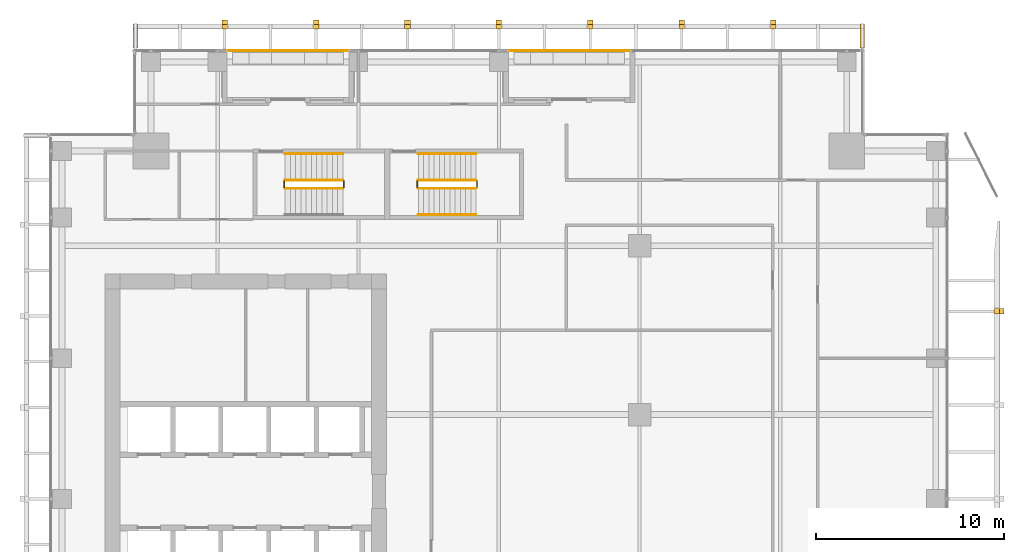
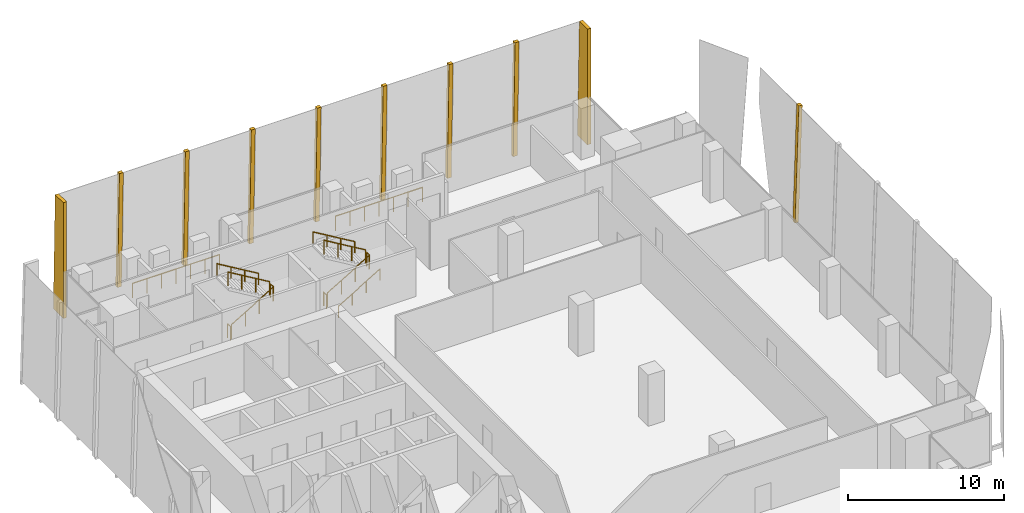
# One storey, part 34 of 35: 13 railings, 10 coverings.
"""IFC4 building model written with IfcOpenShell, lengths in metres."""

from ifc_helpers import new_model, si_unit, direction, frame, origin, origin_2d, place, context, subcontext, project, spatial, polyline, circle, outline, extrude, source, transform, mapped, material, layer, layer_set, type_object, element, save


model = new_model("IFC4")

# Units and contexts
model_context = context("Model", 3, precision=1e-05, world=origin(), true_north=direction((0.0, 1.0)))
body_context = subcontext(model_context, "Body", "Model", "MODEL_VIEW")
ifc_project = project(units=[si_unit("LENGTHUNIT", "METRE"), si_unit("AREAUNIT", "SQUARE_METRE"), si_unit("VOLUMEUNIT", "CUBIC_METRE"), si_unit("PLANEANGLEUNIT", "RADIAN"), si_unit("MASSUNIT", "GRAM", prefix="KILO")], contexts=[model_context])

# Site, building, storey
site_placement = place(None, origin())
site = spatial("IfcSite", under=ifc_project, at=site_placement, CompositionType="ELEMENT")
building_placement = place(site_placement, origin())
building = spatial("IfcBuilding", under=site, at=building_placement, Name="Khomas Fold Tower", CompositionType="ELEMENT")
storey_placement = place(building_placement, frame((0.0, 0.0, 212.699951171875)))
storey = spatial("IfcBuildingStorey", under=building, at=storey_placement, Name="L47", CompositionType="ELEMENT", Elevation=212.699951171875)

# Coverings
ifc_material_1 = material(Name="Natural stone cladding", Category="masonry")
ifc_layer = layer(ifc_material_1, 0.25)
ifc_layer_set = layer_set([ifc_layer], Name="Natural stone cladding")
covering_type = type_object("IfcCoveringType", Name="SK-Karibib marble stone mullion", PredefinedType="CLADDING", material=ifc_layer_set)
covering_1_placement = place(storey_placement, frame((53.402587890625, 36.85009765625, 0.0), z_axis=(-0.999510733566, 0.0, 0.031277683534), x_axis=(0.031277683534, 0.0, 0.999510733566)))
element("IfcCovering", 1, at=covering_1_placement, inside=storey, type_object=covering_type, Name="OUTER SKIN mullion L47 EM105-11", PredefinedType="CLADDING", context=body_context, shape_type="SweptSolid", body=[
    extrude(outline(polyline([(0.0, 0.0), (9.05447888072287, 0.0), (9.05447888072287, 0.2998046875), (0.0, 0.2998046875), (0.0, 0.0)])), origin(), (0.0, 0.0, -1.0), 0.25),
])
for number, where, z_axis, x_axis, name in (
    (2, (12.22509765625, 52.5380859375, 0.006591796875), (0.0, 0.999657103303, 0.026185412267), (1.0, 0.0, 0.0), "OUTER SKIN mullion L47 N2"),
    (3, (17.10009765625, 52.5380859375, 0.006591796875), (0.0, 0.999657103303, 0.026185412267), (1.0, 0.0, 0.0), "OUTER SKIN mullion L47 N4"),
    (4, (21.97509765625, 52.5380859375, 0.006591796875), (0.0, 0.999657103303, 0.026185412267), (1.0, 0.0, 0.0), "OUTER SKIN mullion L47 N6"),
    (5, (26.85009765625, 52.5380859375, 0.006591796875), (0.0, 0.999657103303, 0.026185412267), (1.0, 0.0, 0.0), "OUTER SKIN mullion L47 N8"),
    (6, (31.72509765625, 52.5380859375, 0.006591796875), (0.0, 0.999657103303, 0.026185412267), (1.0, 0.0, 0.0), "OUTER SKIN mullion L47 N10"),
    (7, (36.60009765625, 52.5380859375, 0.006591796875), (0.0, 0.999657103303, 0.026185412267), (1.0, 0.0, 0.0), "OUTER SKIN mullion L47 N12"),
    (8, (41.47509765625, 52.5380859375, 0.006591796875), (0.0, 0.999657103303, 0.026185412267), (1.0, 0.0, 0.0), "OUTER SKIN mullion L47 N14"),
):
    element("IfcCovering", number, at=place(storey_placement, frame(where, z_axis=z_axis, x_axis=x_axis)), inside=storey, type_object=covering_type, Name=name, PredefinedType="CLADDING", context=body_context, shape_type="SweptSolid", body=[
        extrude(outline(polyline([(0.0, 0.0), (0.2998046875, 0.0), (0.2998046875, -9.053153124427498), (0.0, -9.053153124427498), (0.0, 0.0)])), origin(), (0.0, 0.0, -1.0), 0.25),
    ])
covering_2_placement = place(storey_placement, frame((7.5, 51.050048828125, 9.050048828125), z_axis=(-1.0, 0.0, 0.0), x_axis=(0.0, 1.0, 0.0)))
element("IfcCovering", 9, at=covering_2_placement, inside=storey, type_object=covering_type, Name="OUTER SKIN return L47 N1", PredefinedType="CLADDING", context=body_context, shape_type="SweptSolid", body=[
    extrude(outline(polyline([(0.0, 0.0), (1.041015625, 0.0), (1.278076171875, 9.050048828125), (0.0, 9.050048828125), (0.0, 0.0)])), origin(), (0.0, 0.0, -1.0), 0.25),
])
covering_3_placement = place(storey_placement, frame((46.5, 51.050048828125, 0.0), z_axis=(1.0, 0.0, 0.0), x_axis=(0.0, 1.0, 0.0)))
element("IfcCovering", 10, at=covering_3_placement, inside=storey, type_object=covering_type, Name="OUTER SKIN return L47 N2", PredefinedType="CLADDING", context=body_context, shape_type="SweptSolid", body=[
    extrude(outline(polyline([(0.0, 0.0), (1.278076171875, 0.0), (1.041015625, 9.050048828125), (0.0, 9.050048828125), (0.0, 0.0)])), origin(), (0.0, 0.0, -1.0), 0.25),
])

# Railings
ifc_material_2 = material(Name="Powder-coated steel", Category="steel")
railing_type_1 = type_object("IfcRailingType", Name="Balcony guard", PredefinedType="GUARDRAIL", material=ifc_material_2)
shared_shape_1 = source(origin(), body_context, "Body", "SweptSolid", [
    extrude(circle(Radius=0.02490234375, at=origin_2d()), frame((0.0, 0.0, 1.125), z_axis=(1.0, 0.0, 0.0), x_axis=(0.0, 1.0, 0.0)), (0.0, 0.0, 1.0), 6.43994140625),
    extrude(circle(Radius=0.02001953125, at=origin_2d()), origin(), (0.0, 0.0, 1.0), 1.099853515625),
    extrude(circle(Radius=0.02001953125, at=origin_2d()), frame((1.0732421875, 0.0, 0.0)), (0.0, 0.0, 1.0), 1.099853515625),
    extrude(circle(Radius=0.02001953125, at=origin_2d()), frame((2.146728515625, 0.0, 0.0)), (0.0, 0.0, 1.0), 1.099853515625),
    extrude(circle(Radius=0.02001953125, at=origin_2d()), frame((3.219970703125, 0.0, 0.0)), (0.0, 0.0, 1.0), 1.099853515625),
    extrude(circle(Radius=0.02001953125, at=origin_2d()), frame((4.293212890625, 0.0, 0.0)), (0.0, 0.0, 1.0), 1.099853515625),
    extrude(circle(Radius=0.02001953125, at=origin_2d()), frame((5.36669921875, 0.0, 0.0)), (0.0, 0.0, 1.0), 1.099853515625),
    extrude(circle(Radius=0.02001953125, at=origin_2d()), frame((6.43994140625, 0.0, 0.0)), (0.0, 0.0, 1.0), 1.099853515625),
])
for number, where, name in (
    (11, (12.530029296875, 50.89990234375, -0.044921875), "Balcony guard BAL-L47-N1"),
    (12, (27.530029296875, 50.89990234375, -0.044921875), "Balcony guard BAL-L47-N3"),
):
    element("IfcRailing", number, at=place(storey_placement, frame(where)), inside=storey, type_object=railing_type_1, Name=name, PredefinedType="GUARDRAIL", context=body_context, shape_type="MappedRepresentation", body=[
        mapped(shared_shape_1, transform((0.0, 0.0, 0.0))),
    ])
ifc_material_3 = material(Name="Steel balustrade", Category="steel")
railing_type_2 = type_object("IfcRailingType", Name="Stair guard", PredefinedType="GUARDRAIL", material=ifc_material_3)
shared_shape_2 = source(origin(), body_context, "Body", "SweptSolid", [
    extrude(circle(Radius=0.02392578125, at=origin_2d()), frame((0.0, 0.0, 1.076171875), z_axis=(0.0, 1.0, 0.0), x_axis=(-1.0, 0.0, 0.0)), (0.0, 0.0, 1.0), 0.349853515625),
    extrude(circle(Radius=0.02099609375, at=origin_2d()), origin(), (0.0, 0.0, 1.0), 1.052001953125),
    extrude(circle(Radius=0.02099609375, at=origin_2d()), frame((0.0, 0.349853515625, 0.0)), (0.0, 0.0, 1.0), 1.052001953125),
])
for number, where, name in (
    (13, (18.72998046875, 43.60009765625, 2.0), "L47 ST1 stair guard 2"),
    (14, (15.550048828125, 43.60009765625, 0.0), "L47 ST1 stair guard 4"),
    (15, (25.830078125, 43.60009765625, 2.0), "L47 ST3 stair guard 2"),
    (16, (22.64990234375, 43.60009765625, 0.0), "L47 ST3 stair guard 4"),
):
    element("IfcRailing", number, at=place(storey_placement, frame(where)), inside=storey, type_object=railing_type_2, Name=name, PredefinedType="GUARDRAIL", context=body_context, shape_type="MappedRepresentation", body=[
        mapped(shared_shape_2, transform((0.0, 0.0, 0.0))),
    ])
shared_shape_3 = source(origin(), body_context, "Body", "SweptSolid", [
    extrude(circle(Radius=0.02392578125, at=origin_2d()), frame((0.0, 0.0, 1.076171875), z_axis=(0.859290745958, 0.0, 0.51148745235), x_axis=(0.0, 1.0, 0.0)), (0.0, 0.0, 1.0), 3.584228515625),
    extrude(circle(Radius=0.02099609375, at=origin_2d()), origin(), (0.0, 0.0, 1.0), 1.052001953125),
    extrude(circle(Radius=0.02099609375, at=origin_2d()), frame((1.026611328125, 0.0, 0.611083984375)), (0.0, 0.0, 1.0), 1.052001953125),
    extrude(circle(Radius=0.02099609375, at=origin_2d()), frame((2.05322265625, 0.0, 1.22216796875)), (0.0, 0.0, 1.0), 1.052001953125),
    extrude(circle(Radius=0.02099609375, at=origin_2d()), frame((3.079833984375, 0.0, 1.833251953125)), (0.0, 0.0, 1.0), 1.052001953125),
])
railing_1_placement = place(storey_placement, frame((15.60009765625, 43.550048828125, 0.166748046875)))
element("IfcRailing", 17, at=railing_1_placement, inside=storey, type_object=railing_type_2, Name="L47 ST1 stair guard 1", PredefinedType="GUARDRAIL", context=body_context, shape_type="MappedRepresentation", body=[
    mapped(shared_shape_3, transform((0.0, 0.0, 0.0))),
])
shared_shape_4 = source(origin(), body_context, "Body", "SweptSolid", [
    extrude(circle(Radius=0.02392578125, at=origin_2d()), frame((0.0, 0.0, 1.076171875), z_axis=(-0.859290745958, 0.0, 0.51148745235), x_axis=(0.0, -1.0, 0.0)), (0.0, 0.0, 1.0), 3.584228515625),
    extrude(circle(Radius=0.02099609375, at=origin_2d()), origin(), (0.0, 0.0, 1.0), 1.052001953125),
    extrude(circle(Radius=0.02099609375, at=origin_2d()), frame((-1.026611328125, 0.0, 0.611083984375)), (0.0, 0.0, 1.0), 1.052001953125),
    extrude(circle(Radius=0.02099609375, at=origin_2d()), frame((-2.05322265625, 0.0, 1.22216796875)), (0.0, 0.0, 1.0), 1.052001953125),
    extrude(circle(Radius=0.02099609375, at=origin_2d()), frame((-3.079833984375, 0.0, 1.833251953125)), (0.0, 0.0, 1.0), 1.052001953125),
])
railing_2_placement = place(storey_placement, frame((18.679931640625, 44.0, 2.166748046875)))
element("IfcRailing", 18, at=railing_2_placement, inside=storey, type_object=railing_type_2, Name="L47 ST1 stair guard 3", PredefinedType="GUARDRAIL", context=body_context, shape_type="MappedRepresentation", body=[
    mapped(shared_shape_4, transform((0.0, 0.0, 0.0))),
])
ifc_material_4 = material(Name="Steel handrail", Category="steel")
railing_type_3 = type_object("IfcRailingType", Name="Stair handrail", PredefinedType="HANDRAIL", material=ifc_material_4)
shared_shape_5 = source(origin(), body_context, "Body", "SweptSolid", [
    extrude(circle(Radius=0.02392578125, at=origin_2d()), frame((0.0, 0.0, 0.8759765625), z_axis=(-0.859290745958, 0.0, 0.51148745235), x_axis=(0.0, -1.0, 0.0)), (0.0, 0.0, 1.0), 3.584228515625),
    extrude(circle(Radius=0.02099609375, at=origin_2d()), origin(), (0.0, 0.0, 1.0), 0.851806640625),
    extrude(circle(Radius=0.02099609375, at=origin_2d()), frame((-1.026611328125, 0.0, 0.611083984375)), (0.0, 0.0, 1.0), 0.851806640625),
    extrude(circle(Radius=0.02099609375, at=origin_2d()), frame((-2.05322265625, 0.0, 1.22216796875)), (0.0, 0.0, 1.0), 0.851806640625),
    extrude(circle(Radius=0.02099609375, at=origin_2d()), frame((-3.079833984375, 0.0, 1.833251953125)), (0.0, 0.0, 1.0), 0.851806640625),
])
railing_3_placement = place(storey_placement, frame((18.679931640625, 45.39990234375, 2.166748046875)))
element("IfcRailing", 19, at=railing_3_placement, inside=storey, type_object=railing_type_3, Name="L47 ST1 stair handrail 2", PredefinedType="HANDRAIL", context=body_context, shape_type="MappedRepresentation", body=[
    mapped(shared_shape_5, transform((0.0, 0.0, 0.0))),
])
shared_shape_6 = source(origin(), body_context, "Body", "SweptSolid", [
    extrude(circle(Radius=0.02392578125, at=origin_2d()), frame((0.0, 0.0, 1.076171875), z_axis=(0.859308565015, 0.0, 0.511457515432), x_axis=(0.0, 1.0, 0.0)), (0.0, 0.0, 1.0), 3.58447265625),
    extrude(circle(Radius=0.02099609375, at=origin_2d()), origin(), (0.0, 0.0, 1.0), 1.052001953125),
    extrude(circle(Radius=0.02099609375, at=origin_2d()), frame((1.026611328125, 0.0, 0.611083984375)), (0.0, 0.0, 1.0), 1.052001953125),
    extrude(circle(Radius=0.02099609375, at=origin_2d()), frame((2.053466796875, 0.0, 1.22216796875)), (0.0, 0.0, 1.0), 1.052001953125),
    extrude(circle(Radius=0.02099609375, at=origin_2d()), frame((3.080078125, 0.0, 1.833251953125)), (0.0, 0.0, 1.0), 1.052001953125),
])
railing_4_placement = place(storey_placement, frame((22.699951171875, 43.550048828125, 0.166748046875)))
element("IfcRailing", 20, at=railing_4_placement, inside=storey, type_object=railing_type_2, Name="L47 ST3 stair guard 1", PredefinedType="GUARDRAIL", context=body_context, shape_type="MappedRepresentation", body=[
    mapped(shared_shape_6, transform((0.0, 0.0, 0.0))),
])
shared_shape_7 = source(origin(), body_context, "Body", "SweptSolid", [
    extrude(circle(Radius=0.02392578125, at=origin_2d()), frame((0.0, 0.0, 1.076171875), z_axis=(-0.859308565015, 0.0, 0.511457515432), x_axis=(0.0, -1.0, 0.0)), (0.0, 0.0, 1.0), 3.58447265625),
    extrude(circle(Radius=0.02099609375, at=origin_2d()), origin(), (0.0, 0.0, 1.0), 1.052001953125),
    extrude(circle(Radius=0.02099609375, at=origin_2d()), frame((-1.026611328125, 0.0, 0.611083984375)), (0.0, 0.0, 1.0), 1.052001953125),
    extrude(circle(Radius=0.02099609375, at=origin_2d()), frame((-2.053466796875, 0.0, 1.22216796875)), (0.0, 0.0, 1.0), 1.052001953125),
    extrude(circle(Radius=0.02099609375, at=origin_2d()), frame((-3.080078125, 0.0, 1.833251953125)), (0.0, 0.0, 1.0), 1.052001953125),
])
railing_5_placement = place(storey_placement, frame((25.780029296875, 44.0, 2.166748046875)))
element("IfcRailing", 21, at=railing_5_placement, inside=storey, type_object=railing_type_2, Name="L47 ST3 stair guard 3", PredefinedType="GUARDRAIL", context=body_context, shape_type="MappedRepresentation", body=[
    mapped(shared_shape_7, transform((0.0, 0.0, 0.0))),
])
shared_shape_8 = source(origin(), body_context, "Body", "SweptSolid", [
    extrude(circle(Radius=0.02392578125, at=origin_2d()), frame((0.0, 0.0, 0.8759765625), z_axis=(0.859308565015, 0.0, 0.511457515432), x_axis=(0.0, 1.0, 0.0)), (0.0, 0.0, 1.0), 3.58447265625),
    extrude(circle(Radius=0.02099609375, at=origin_2d()), origin(), (0.0, 0.0, 1.0), 0.851806640625),
    extrude(circle(Radius=0.02099609375, at=origin_2d()), frame((1.026611328125, 0.0, 0.611083984375)), (0.0, 0.0, 1.0), 0.851806640625),
    extrude(circle(Radius=0.02099609375, at=origin_2d()), frame((2.053466796875, 0.0, 1.22216796875)), (0.0, 0.0, 1.0), 0.851806640625),
    extrude(circle(Radius=0.02099609375, at=origin_2d()), frame((3.080078125, 0.0, 1.833251953125)), (0.0, 0.0, 1.0), 0.851806640625),
])
railing_6_placement = place(storey_placement, frame((22.699951171875, 42.14990234375, 0.166748046875)))
element("IfcRailing", 22, at=railing_6_placement, inside=storey, type_object=railing_type_3, Name="L47 ST3 stair handrail 1", PredefinedType="HANDRAIL", context=body_context, shape_type="MappedRepresentation", body=[
    mapped(shared_shape_8, transform((0.0, 0.0, 0.0))),
])
shared_shape_9 = source(origin(), body_context, "Body", "SweptSolid", [
    extrude(circle(Radius=0.02392578125, at=origin_2d()), frame((0.0, 0.0, 0.8759765625), z_axis=(-0.859308565015, 0.0, 0.511457515432), x_axis=(0.0, -1.0, 0.0)), (0.0, 0.0, 1.0), 3.58447265625),
    extrude(circle(Radius=0.02099609375, at=origin_2d()), origin(), (0.0, 0.0, 1.0), 0.851806640625),
    extrude(circle(Radius=0.02099609375, at=origin_2d()), frame((-1.026611328125, 0.0, 0.611083984375)), (0.0, 0.0, 1.0), 0.851806640625),
    extrude(circle(Radius=0.02099609375, at=origin_2d()), frame((-2.053466796875, 0.0, 1.22216796875)), (0.0, 0.0, 1.0), 0.851806640625),
    extrude(circle(Radius=0.02099609375, at=origin_2d()), frame((-3.080078125, 0.0, 1.833251953125)), (0.0, 0.0, 1.0), 0.851806640625),
])
railing_7_placement = place(storey_placement, frame((25.780029296875, 45.39990234375, 2.166748046875)))
element("IfcRailing", 23, at=railing_7_placement, inside=storey, type_object=railing_type_3, Name="L47 ST3 stair handrail 2", PredefinedType="HANDRAIL", context=body_context, shape_type="MappedRepresentation", body=[
    mapped(shared_shape_9, transform((0.0, 0.0, 0.0))),
])

save(model, "model.ifc")
